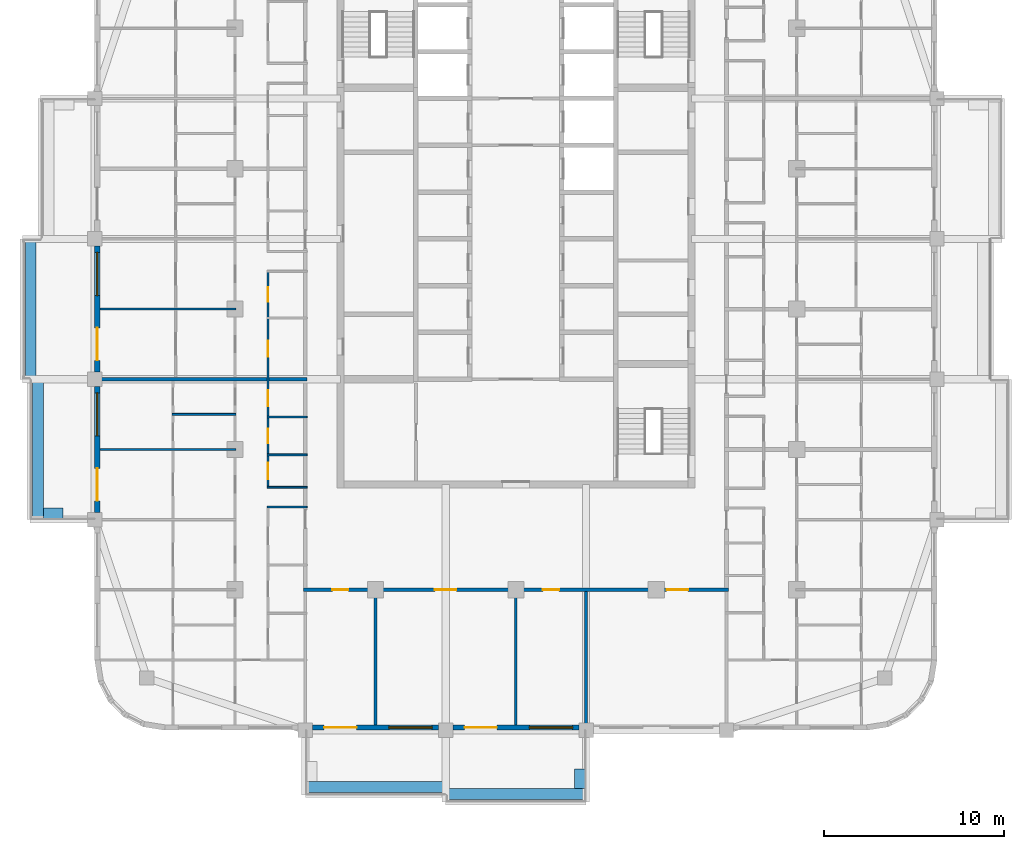
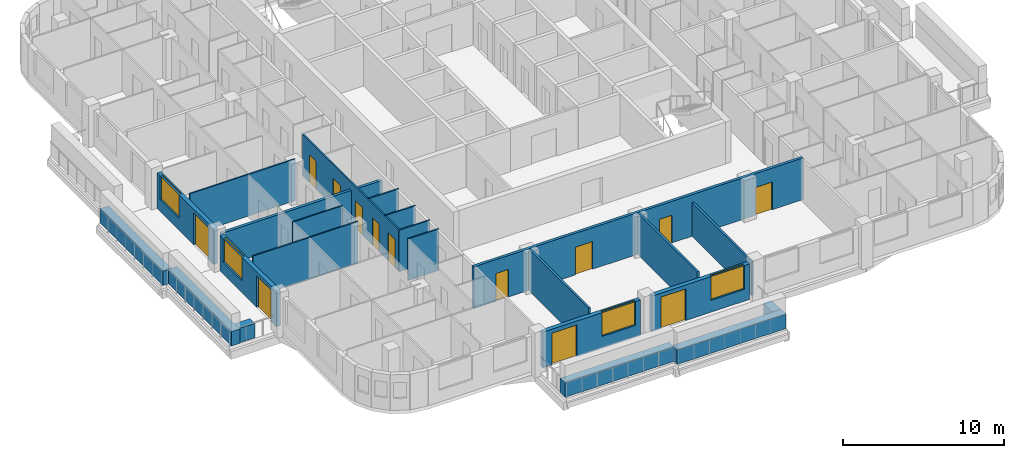
# One storey, part 3 of 16: 23 walls, 13 doors, 4 windows, 17 openings.
"""IFC4 building model written with IfcOpenShell, lengths in metres."""

from ifc_helpers import new_model, si_unit, direction, frame, frame_2d, origin, place, context, subcontext, project, spatial, rectangle, extrude, material, layer, layer_set, type_object, element, fill, save


model = new_model("IFC4")

# Units and contexts
model_context = context("Model", 3, precision=1e-05, world=origin(), true_north=direction((0.0, 1.0)))
body_context = subcontext(model_context, "Body", "Model", "MODEL_VIEW")
ifc_project = project(units=[si_unit("LENGTHUNIT", "METRE"), si_unit("AREAUNIT", "SQUARE_METRE"), si_unit("VOLUMEUNIT", "CUBIC_METRE"), si_unit("PLANEANGLEUNIT", "RADIAN"), si_unit("MASSUNIT", "GRAM", prefix="KILO")], contexts=[model_context])

# Site, building, storey
site_placement = place(None, origin())
site = spatial("IfcSite", under=ifc_project, at=site_placement, CompositionType="ELEMENT")
building_placement = place(site_placement, origin())
building = spatial("IfcBuilding", under=site, at=building_placement, Name="Ludao Terraces", CompositionType="ELEMENT")
storey_placement = place(building_placement, frame((0.0, 0.0, 217.699951171875)))
storey = spatial("IfcBuildingStorey", under=building, at=storey_placement, Name="L59", CompositionType="ELEMENT", Elevation=217.699951171875)

# Walls
ifc_material_1 = material(Name="Concrete C40", Category="concrete")
ifc_layer_1 = layer(ifc_material_1, 0.60009765625)
ifc_layer_set_1 = layer_set([ifc_layer_1], Name="ENV Planter trough 600")
wall_type_1 = type_object("IfcWallType", Name="ENV Planter trough 600", PredefinedType="USERDEFINED", material=ifc_layer_set_1)
wall_1_placement = place(storey_placement, frame((73.300048828125, 38.449951171875, 0.0), z_axis=(0.0, 0.0, 1.0), x_axis=(1.0, 0.0, 0.0)))
element("IfcWall", 1, at=wall_1_placement, inside=storey, type_object=wall_type_1, Name="PL-L59-S1", ObjectType="PLANTER", PredefinedType="USERDEFINED", context=body_context, shape_type="SweptSolid", body=[
    extrude(rectangle(XDim=7.800048828125, YDim=0.60009765625, at=frame_2d((3.89990234375, 0.0))), origin(), (0.0, 0.0, 1.0), 1.10009765625),
])
wall_2_placement = place(storey_placement, frame((81.10009765625, 38.050048828125, 0.0), z_axis=(0.0, 0.0, 1.0), x_axis=(1.0, 0.0, 0.0)))
element("IfcWall", 2, at=wall_2_placement, inside=storey, type_object=wall_type_1, Name="PL-L59-S2", ObjectType="PLANTER", PredefinedType="USERDEFINED", context=body_context, shape_type="SweptSolid", body=[
    extrude(rectangle(XDim=7.7998046875, YDim=0.60009765625, at=frame_2d((3.89990234375, 0.0))), origin(), (0.0, 0.0, 1.0), 1.10009765625),
])
wall_3_placement = place(storey_placement, frame((88.550048828125, 38.35009765625, 0.0), z_axis=(0.0, 0.0, 1.0), x_axis=(0.0, 1.0, 0.0)))
element("IfcWall", 3, at=wall_3_placement, inside=storey, type_object=wall_type_1, Name="PL-L59-S2-SB", ObjectType="PLANTER", PredefinedType="USERDEFINED", context=body_context, shape_type="SweptSolid", body=[
    extrude(rectangle(XDim=1.099853515625, YDim=0.60009765625, at=frame_2d((0.5498046875, 0.0))), origin(), (0.0, 0.0, 1.0), 1.10009765625),
])
wall_4_placement = place(storey_placement, frame((58.449951171875, 53.300048828125, 0.0), z_axis=(0.0, 0.0, 1.0), x_axis=(0.0, 1.0, 0.0)))
element("IfcWall", 4, at=wall_4_placement, inside=storey, type_object=wall_type_1, Name="PL-L59-W1", ObjectType="PLANTER", PredefinedType="USERDEFINED", context=body_context, shape_type="SweptSolid", body=[
    extrude(rectangle(XDim=7.800048828125, YDim=0.60009765625, at=frame_2d((3.89990234375, 0.0))), origin(), (0.0, 0.0, 1.0), 1.10009765625),
])
wall_5_placement = place(storey_placement, frame((58.75, 53.64990234375, 0.0), z_axis=(0.0, 0.0, 1.0), x_axis=(1.0, 0.0, 0.0)))
element("IfcWall", 5, at=wall_5_placement, inside=storey, type_object=wall_type_1, Name="PL-L59-W1-SA", ObjectType="PLANTER", PredefinedType="USERDEFINED", context=body_context, shape_type="SweptSolid", body=[
    extrude(rectangle(XDim=1.10009765625, YDim=0.60009765625, at=frame_2d((0.550048828125, 0.0))), origin(), (0.0, 0.0, 1.0), 1.10009765625),
])
wall_6_placement = place(storey_placement, frame((58.050048828125, 61.10009765625, 0.0), z_axis=(0.0, 0.0, 1.0), x_axis=(0.0, 1.0, 0.0)))
element("IfcWall", 6, at=wall_6_placement, inside=storey, type_object=wall_type_1, Name="PL-L59-W2", ObjectType="PLANTER", PredefinedType="USERDEFINED", context=body_context, shape_type="SweptSolid", body=[
    extrude(rectangle(XDim=7.7998046875, YDim=0.60009765625, at=frame_2d((3.89990234375, 0.0))), origin(), (0.0, 0.0, 1.0), 1.10009765625),
])

# Wall, openings, door, window
ifc_material_2 = material(Name="Granite cladding", Category="masonry")
ifc_layer_2 = layer(ifc_material_2, 0.0400390625, Category="stone")
ifc_material_3 = material(Name="Mineral wool")
ifc_layer_3 = layer(ifc_material_3, 0.06005859375)
ifc_layer_4 = layer(ifc_material_1, 0.199951171875, Category="concrete")
ifc_layer_set_2 = layer_set([ifc_layer_2, ifc_layer_3, ifc_layer_4], Name="ENV Stone-clad wall 300")
wall_type_2 = type_object("IfcWallType", Name="ENV Stone-clad wall 300", PredefinedType="SOLIDWALL", material=ifc_layer_set_2)
wall_7_placement = place(storey_placement, frame((73.699951171875, 41.75, 0.0), z_axis=(0.0, 0.0, 1.0), x_axis=(1.0, 0.0, 0.0)))
wall_7 = element("IfcWall", 7, at=wall_7_placement, inside=storey, type_object=wall_type_2, Name="EW-L59-S2", PredefinedType="SOLIDWALL", context=body_context, shape_type="SweptSolid", body=[
    extrude(rectangle(XDim=7.0, YDim=0.300048828125, at=frame_2d((3.5, 0.0))), origin(), (0.0, 0.0, 1.0), 2.699951171875),
])
opening_1_placement = place(wall_7_placement, frame((0.64990234375, 0.0, 0.0)))
opening_1 = element("IfcOpeningElement", 8, at=opening_1_placement, cuts=wall_7, Name="Opening BD", PredefinedType="OPENING", context=body_context, shape_type="SweptSolid", body=[
    extrude(rectangle(XDim=1.800048828125, YDim=2.39990234375, at=frame_2d((0.89990234375, 1.199951171875))), frame((0.0, 0.16015625, 0.0), z_axis=(0.0, -1.0, 0.0), x_axis=(1.0, 0.0, 0.0)), (0.0, 0.0, 1.0), 0.320068359375),
])
opening_2_placement = place(wall_7_placement, frame((4.25, 0.0, 0.89990234375)))
opening_2 = element("IfcOpeningElement", 9, at=opening_2_placement, cuts=wall_7, Name="Opening W1", PredefinedType="OPENING", context=body_context, shape_type="SweptSolid", body=[
    extrude(rectangle(XDim=2.39990234375, YDim=1.800048828125, at=frame_2d((1.199951171875, 0.89990234375))), frame((0.0, 0.16015625, 0.0), z_axis=(0.0, -1.0, 0.0), x_axis=(1.0, 0.0, 0.0)), (0.0, 0.0, 1.0), 0.320068359375),
])
ifc_material_4 = material(Name="Aluminium glazed door", Category="aluminium")
ifc_layer_5 = layer(ifc_material_4, 0.06005859375)
ifc_layer_set_3 = layer_set([ifc_layer_5], Name="ENV Balcony door BD 1800x2400")
door_type_1 = type_object("IfcDoorType", Name="ENV Balcony door BD 1800x2400", OperationType="DOUBLE_DOOR_SINGLE_SWING", PredefinedType="DOOR", material=ifc_layer_set_3)
door_1_placement = place(opening_1_placement, origin())
door_1 = element("IfcDoor", 10, at=door_1_placement, inside=storey, type_object=door_type_1, Name="BD-L59-S2-1", OperationType="DOUBLE_DOOR_SINGLE_SWING", OverallHeight=2.39990234375, OverallWidth=1.800048828125, PredefinedType="DOOR", context=body_context, shape_type="SweptSolid", body=[
    extrude(rectangle(XDim=1.800048828125, YDim=2.39990234375, at=frame_2d((0.89990234375, 1.199951171875))), frame((0.0, 0.02490234375, 0.0), z_axis=(0.0, -1.0, 0.0), x_axis=(1.0, 0.0, 0.0)), (0.0, 0.0, 1.0), 0.050048828125),
])
fill(opening_1, door_1)
ifc_material_5 = material(Name="Clear glass in aluminium frame", Category="aluminium")
ifc_layer_6 = layer(ifc_material_5, 0.06005859375)
ifc_layer_set_4 = layer_set([ifc_layer_6], Name="ENV Window W1 2400x1800")
window_type = type_object("IfcWindowType", Name="ENV Window W1 2400x1800", PartitioningType="DOUBLE_PANEL_VERTICAL", PredefinedType="WINDOW", material=ifc_layer_set_4)
window_1_placement = place(opening_2_placement, origin())
window_1 = element("IfcWindow", 11, at=window_1_placement, inside=storey, type_object=window_type, Name="W-L59-S2-2", OverallHeight=1.800048828125, OverallWidth=2.39990234375, PartitioningType="DOUBLE_PANEL_VERTICAL", PredefinedType="WINDOW", context=body_context, shape_type="SweptSolid", body=[
    extrude(rectangle(XDim=2.39990234375, YDim=1.800048828125, at=frame_2d((1.199951171875, 0.89990234375))), frame((0.0, 0.030029296875, 0.0), z_axis=(0.0, -1.0, 0.0), x_axis=(1.0, 0.0, 0.0)), (0.0, 0.0, 1.0), 0.06005859375),
])
fill(opening_2, window_1)

wall_8_placement = place(storey_placement, frame((81.5, 41.75, 0.0), z_axis=(0.0, 0.0, 1.0), x_axis=(1.0, 0.0, 0.0)))
wall_8 = element("IfcWall", 12, at=wall_8_placement, inside=storey, type_object=wall_type_2, Name="EW-L59-S3", PredefinedType="SOLIDWALL", context=body_context, shape_type="SweptSolid", body=[
    extrude(rectangle(XDim=7.0, YDim=0.300048828125, at=frame_2d((3.5, 0.0))), origin(), (0.0, 0.0, 1.0), 2.699951171875),
])
opening_3_placement = place(wall_8_placement, frame((0.64990234375, 0.0, 0.0)))
opening_3 = element("IfcOpeningElement", 13, at=opening_3_placement, cuts=wall_8, Name="Opening BD", PredefinedType="OPENING", context=body_context, shape_type="SweptSolid", body=[
    extrude(rectangle(XDim=1.800048828125, YDim=2.39990234375, at=frame_2d((0.89990234375, 1.199951171875))), frame((0.0, 0.16015625, 0.0), z_axis=(0.0, -1.0, 0.0), x_axis=(1.0, 0.0, 0.0)), (0.0, 0.0, 1.0), 0.320068359375),
])
opening_4_placement = place(wall_8_placement, frame((4.25, 0.0, 0.89990234375)))
opening_4 = element("IfcOpeningElement", 14, at=opening_4_placement, cuts=wall_8, Name="Opening W1", PredefinedType="OPENING", context=body_context, shape_type="SweptSolid", body=[
    extrude(rectangle(XDim=2.39990234375, YDim=1.800048828125, at=frame_2d((1.199951171875, 0.89990234375))), frame((0.0, 0.16015625, 0.0), z_axis=(0.0, -1.0, 0.0), x_axis=(1.0, 0.0, 0.0)), (0.0, 0.0, 1.0), 0.320068359375),
])
door_2_placement = place(opening_3_placement, origin())
door_2 = element("IfcDoor", 15, at=door_2_placement, inside=storey, type_object=door_type_1, Name="BD-L59-S3-1", OperationType="DOUBLE_DOOR_SINGLE_SWING", OverallHeight=2.39990234375, OverallWidth=1.800048828125, PredefinedType="DOOR", context=body_context, shape_type="SweptSolid", body=[
    extrude(rectangle(XDim=1.800048828125, YDim=2.39990234375, at=frame_2d((0.89990234375, 1.199951171875))), frame((0.0, 0.02490234375, 0.0), z_axis=(0.0, -1.0, 0.0), x_axis=(1.0, 0.0, 0.0)), (0.0, 0.0, 1.0), 0.050048828125),
])
fill(opening_3, door_2)
window_2_placement = place(opening_4_placement, origin())
window_2 = element("IfcWindow", 16, at=window_2_placement, inside=storey, type_object=window_type, Name="W-L59-S3-2", OverallHeight=1.800048828125, OverallWidth=2.39990234375, PartitioningType="DOUBLE_PANEL_VERTICAL", PredefinedType="WINDOW", context=body_context, shape_type="SweptSolid", body=[
    extrude(rectangle(XDim=2.39990234375, YDim=1.800048828125, at=frame_2d((1.199951171875, 0.89990234375))), frame((0.0, 0.030029296875, 0.0), z_axis=(0.0, -1.0, 0.0), x_axis=(1.0, 0.0, 0.0)), (0.0, 0.0, 1.0), 0.06005859375),
])
fill(opening_4, window_2)

wall_9_placement = place(storey_placement, frame((61.75, 53.699951171875, 0.0), z_axis=(0.0, 0.0, 1.0), x_axis=(0.0, 1.0, 0.0)))
wall_9 = element("IfcWall", 17, at=wall_9_placement, inside=storey, type_object=wall_type_2, Name="EW-L59-W2", PredefinedType="SOLIDWALL", context=body_context, shape_type="SweptSolid", body=[
    extrude(rectangle(XDim=7.0, YDim=0.300048828125, at=frame_2d((3.5, 0.0))), origin(), (0.0, 0.0, 1.0), 2.699951171875),
])
opening_5_placement = place(wall_9_placement, frame((0.64990234375, 0.0, 0.0)))
opening_5 = element("IfcOpeningElement", 18, at=opening_5_placement, cuts=wall_9, Name="Opening BD", PredefinedType="OPENING", context=body_context, shape_type="SweptSolid", body=[
    extrude(rectangle(XDim=1.800048828125, YDim=2.39990234375, at=frame_2d((0.89990234375, 1.199951171875))), frame((0.0, 0.16015625, 0.0), z_axis=(0.0, -1.0, 0.0), x_axis=(1.0, 0.0, 0.0)), (0.0, 0.0, 1.0), 0.320068359375),
])
opening_6_placement = place(wall_9_placement, frame((4.25, 0.0, 0.89990234375)))
opening_6 = element("IfcOpeningElement", 19, at=opening_6_placement, cuts=wall_9, Name="Opening W1", PredefinedType="OPENING", context=body_context, shape_type="SweptSolid", body=[
    extrude(rectangle(XDim=2.39990234375, YDim=1.800048828125, at=frame_2d((1.199951171875, 0.89990234375))), frame((0.0, 0.16015625, 0.0), z_axis=(0.0, -1.0, 0.0), x_axis=(1.0, 0.0, 0.0)), (0.0, 0.0, 1.0), 0.320068359375),
])
door_3_placement = place(opening_5_placement, origin())
door_3 = element("IfcDoor", 20, at=door_3_placement, inside=storey, type_object=door_type_1, Name="BD-L59-W2-1", OperationType="DOUBLE_DOOR_SINGLE_SWING", OverallHeight=2.39990234375, OverallWidth=1.800048828125, PredefinedType="DOOR", context=body_context, shape_type="SweptSolid", body=[
    extrude(rectangle(XDim=1.800048828125, YDim=2.39990234375, at=frame_2d((0.89990234375, 1.199951171875))), frame((0.0, 0.02490234375, 0.0), z_axis=(0.0, -1.0, 0.0), x_axis=(1.0, 0.0, 0.0)), (0.0, 0.0, 1.0), 0.050048828125),
])
fill(opening_5, door_3)
window_3_placement = place(opening_6_placement, origin())
window_3 = element("IfcWindow", 21, at=window_3_placement, inside=storey, type_object=window_type, Name="W-L59-W2-2", OverallHeight=1.800048828125, OverallWidth=2.39990234375, PartitioningType="DOUBLE_PANEL_VERTICAL", PredefinedType="WINDOW", context=body_context, shape_type="SweptSolid", body=[
    extrude(rectangle(XDim=2.39990234375, YDim=1.800048828125, at=frame_2d((1.199951171875, 0.89990234375))), frame((0.0, 0.030029296875, 0.0), z_axis=(0.0, -1.0, 0.0), x_axis=(1.0, 0.0, 0.0)), (0.0, 0.0, 1.0), 0.06005859375),
])
fill(opening_6, window_3)

wall_10_placement = place(storey_placement, frame((61.75, 61.5, 0.0), z_axis=(0.0, 0.0, 1.0), x_axis=(0.0, 1.0, 0.0)))
wall_10 = element("IfcWall", 22, at=wall_10_placement, inside=storey, type_object=wall_type_2, Name="EW-L59-W3", PredefinedType="SOLIDWALL", context=body_context, shape_type="SweptSolid", body=[
    extrude(rectangle(XDim=7.0, YDim=0.300048828125, at=frame_2d((3.5, 0.0))), origin(), (0.0, 0.0, 1.0), 2.699951171875),
])
opening_7_placement = place(wall_10_placement, frame((0.64990234375, 0.0, 0.0)))
opening_7 = element("IfcOpeningElement", 23, at=opening_7_placement, cuts=wall_10, Name="Opening BD", PredefinedType="OPENING", context=body_context, shape_type="SweptSolid", body=[
    extrude(rectangle(XDim=1.800048828125, YDim=2.39990234375, at=frame_2d((0.89990234375, 1.199951171875))), frame((0.0, 0.16015625, 0.0), z_axis=(0.0, -1.0, 0.0), x_axis=(1.0, 0.0, 0.0)), (0.0, 0.0, 1.0), 0.320068359375),
])
opening_8_placement = place(wall_10_placement, frame((4.25, 0.0, 0.89990234375)))
opening_8 = element("IfcOpeningElement", 24, at=opening_8_placement, cuts=wall_10, Name="Opening W1", PredefinedType="OPENING", context=body_context, shape_type="SweptSolid", body=[
    extrude(rectangle(XDim=2.39990234375, YDim=1.800048828125, at=frame_2d((1.199951171875, 0.89990234375))), frame((0.0, 0.16015625, 0.0), z_axis=(0.0, -1.0, 0.0), x_axis=(1.0, 0.0, 0.0)), (0.0, 0.0, 1.0), 0.320068359375),
])
door_4_placement = place(opening_7_placement, origin())
door_4 = element("IfcDoor", 25, at=door_4_placement, inside=storey, type_object=door_type_1, Name="BD-L59-W3-1", OperationType="DOUBLE_DOOR_SINGLE_SWING", OverallHeight=2.39990234375, OverallWidth=1.800048828125, PredefinedType="DOOR", context=body_context, shape_type="SweptSolid", body=[
    extrude(rectangle(XDim=1.800048828125, YDim=2.39990234375, at=frame_2d((0.89990234375, 1.199951171875))), frame((0.0, 0.02490234375, 0.0), z_axis=(0.0, -1.0, 0.0), x_axis=(1.0, 0.0, 0.0)), (0.0, 0.0, 1.0), 0.050048828125),
])
fill(opening_7, door_4)
window_4_placement = place(opening_8_placement, origin())
window_4 = element("IfcWindow", 26, at=window_4_placement, inside=storey, type_object=window_type, Name="W-L59-W3-2", OverallHeight=1.800048828125, OverallWidth=2.39990234375, PartitioningType="DOUBLE_PANEL_VERTICAL", PredefinedType="WINDOW", context=body_context, shape_type="SweptSolid", body=[
    extrude(rectangle(XDim=2.39990234375, YDim=1.800048828125, at=frame_2d((1.199951171875, 0.89990234375))), frame((0.0, 0.030029296875, 0.0), z_axis=(0.0, -1.0, 0.0), x_axis=(1.0, 0.0, 0.0)), (0.0, 0.0, 1.0), 0.06005859375),
])
fill(opening_8, window_4)

# Wall, openings, doors
ifc_material_6 = material(Name="Autoclaved aerated concrete block B06 A3.5", Category="concrete")
ifc_layer_7 = layer(ifc_material_6, 0.199951171875)
ifc_layer_set_5 = layer_set([ifc_layer_7], Name="INT Entrance wall 200")
wall_type_3 = type_object("IfcWallType", Name="INT Entrance wall 200", PredefinedType="PARTITIONING", material=ifc_layer_set_5)
wall_11_placement = place(storey_placement, frame((73.2001953125, 49.39990234375, 0.0), z_axis=(0.0, 0.0, 1.0), x_axis=(1.0, 0.0, 0.0)))
wall_11 = element("IfcWall", 27, at=wall_11_placement, inside=storey, type_object=wall_type_3, Name="PW-L59-PW007", PredefinedType="PARTITIONING", context=body_context, shape_type="SweptSolid", body=[
    extrude(rectangle(XDim=23.599853515625, YDim=0.199951171875, at=frame_2d((11.7998046875, 0.0))), origin(), (0.0, 0.0, 1.0), 3.150146484375),
])
opening_9_placement = place(wall_11_placement, frame((1.599853515625, 0.0, 0.0)))
opening_9 = element("IfcOpeningElement", 28, at=opening_9_placement, cuts=wall_11, Name="Opening R21-016", PredefinedType="OPENING", context=body_context, shape_type="SweptSolid", body=[
    extrude(rectangle(XDim=0.89990234375, YDim=2.10009765625, at=frame_2d((0.449951171875, 1.050048828125))), frame((0.0, 0.10986328125, 0.0), z_axis=(0.0, -1.0, 0.0), x_axis=(1.0, 0.0, 0.0)), (0.0, 0.0, 1.0), 0.219970703125),
])
opening_10_placement = place(wall_11_placement, frame((7.2998046875, 0.0, 0.0)))
opening_10 = element("IfcOpeningElement", 29, at=opening_10_placement, cuts=wall_11, Name="Opening R21-017", PredefinedType="OPENING", context=body_context, shape_type="SweptSolid", body=[
    extrude(rectangle(XDim=1.199951171875, YDim=2.10009765625, at=frame_2d((0.60009765625, 1.050048828125))), frame((0.0, 0.10986328125, 0.0), z_axis=(0.0, -1.0, 0.0), x_axis=(1.0, 0.0, 0.0)), (0.0, 0.0, 1.0), 0.219970703125),
])
opening_11_placement = place(wall_11_placement, frame((13.2998046875, 0.0, 0.0)))
opening_11 = element("IfcOpeningElement", 30, at=opening_11_placement, cuts=wall_11, Name="Opening R21-018", PredefinedType="OPENING", context=body_context, shape_type="SweptSolid", body=[
    extrude(rectangle(XDim=0.89990234375, YDim=2.10009765625, at=frame_2d((0.449951171875, 1.050048828125))), frame((0.0, 0.10986328125, 0.0), z_axis=(0.0, -1.0, 0.0), x_axis=(1.0, 0.0, 0.0)), (0.0, 0.0, 1.0), 0.219970703125),
])
opening_12_placement = place(wall_11_placement, frame((20.1748046875, 0.0, 0.0)))
opening_12 = element("IfcOpeningElement", 31, at=opening_12_placement, cuts=wall_11, Name="Opening R21-019", PredefinedType="OPENING", context=body_context, shape_type="SweptSolid", body=[
    extrude(rectangle(XDim=1.199951171875, YDim=2.10009765625, at=frame_2d((0.60009765625, 1.050048828125))), frame((0.0, 0.10986328125, 0.0), z_axis=(0.0, -1.0, 0.0), x_axis=(1.0, 0.0, 0.0)), (0.0, 0.0, 1.0), 0.219970703125),
])
ifc_material_7 = material(Name="Timber door leaf", Category="wood")
door_type_2 = type_object("IfcDoorType", Name="INT Double door 1200", OperationType="DOUBLE_DOOR_SINGLE_SWING", PredefinedType="DOOR", material=ifc_material_7)
door_5_placement = place(opening_10_placement, origin())
door_5 = element("IfcDoor", 32, at=door_5_placement, inside=storey, type_object=door_type_2, Name="DOOR 017", OperationType="DOUBLE_DOOR_SINGLE_SWING", OverallHeight=2.10009765625, OverallWidth=1.199951171875, PredefinedType="DOOR", context=body_context, shape_type="SweptSolid", body=[
    extrude(rectangle(XDim=1.199951171875, YDim=2.10009765625, at=frame_2d((0.60009765625, 1.050048828125))), frame((0.0, 0.02490234375, 0.0), z_axis=(0.0, -1.0, 0.0), x_axis=(1.0, 0.0, 0.0)), (0.0, 0.0, 1.0), 0.050048828125),
])
fill(opening_10, door_5)
door_6_placement = place(opening_12_placement, origin())
door_6 = element("IfcDoor", 33, at=door_6_placement, inside=storey, type_object=door_type_2, Name="DOOR 019", OperationType="DOUBLE_DOOR_SINGLE_SWING", OverallHeight=2.10009765625, OverallWidth=1.199951171875, PredefinedType="DOOR", context=body_context, shape_type="SweptSolid", body=[
    extrude(rectangle(XDim=1.199951171875, YDim=2.10009765625, at=frame_2d((0.60009765625, 1.050048828125))), frame((0.0, 0.02490234375, 0.0), z_axis=(0.0, -1.0, 0.0), x_axis=(1.0, 0.0, 0.0)), (0.0, 0.0, 1.0), 0.050048828125),
])
fill(opening_12, door_6)
door_type_3 = type_object("IfcDoorType", Name="INT Room door 900", OperationType="SINGLE_SWING_LEFT", PredefinedType="DOOR", material=ifc_material_7)
door_7_placement = place(opening_9_placement, origin())
door_7 = element("IfcDoor", 34, at=door_7_placement, inside=storey, type_object=door_type_3, Name="DOOR 016", OperationType="SINGLE_SWING_RIGHT", OverallHeight=2.10009765625, OverallWidth=0.89990234375, PredefinedType="DOOR", context=body_context, shape_type="SweptSolid", body=[
    extrude(rectangle(XDim=0.89990234375, YDim=2.10009765625, at=frame_2d((0.449951171875, 1.050048828125))), frame((0.0, 0.02490234375, 0.0), z_axis=(0.0, -1.0, 0.0), x_axis=(1.0, 0.0, 0.0)), (0.0, 0.0, 1.0), 0.050048828125),
])
fill(opening_9, door_7)
door_8_placement = place(opening_11_placement, origin())
door_8 = element("IfcDoor", 35, at=door_8_placement, inside=storey, type_object=door_type_3, Name="DOOR 018", OperationType="SINGLE_SWING_RIGHT", OverallHeight=2.10009765625, OverallWidth=0.89990234375, PredefinedType="DOOR", context=body_context, shape_type="SweptSolid", body=[
    extrude(rectangle(XDim=0.89990234375, YDim=2.10009765625, at=frame_2d((0.449951171875, 1.050048828125))), frame((0.0, 0.02490234375, 0.0), z_axis=(0.0, -1.0, 0.0), x_axis=(1.0, 0.0, 0.0)), (0.0, 0.0, 1.0), 0.050048828125),
])
fill(opening_11, door_8)

# Walls
ifc_material_8 = material(Name="Gypsum plasterboard", Category="gypsum")
ifc_layer_8 = layer(ifc_material_8, 0.012451171875, Category="gypsum")
ifc_layer_9 = layer(ifc_material_3, 0.06005859375, Name="insulation")
ifc_material_9 = material(Name="Steel Q235", Category="steel")
ifc_layer_10 = layer(ifc_material_9, 0.014892578125, Name="stud")
ifc_layer_11 = layer(ifc_material_8, 0.012451171875, Category="gypsum")
ifc_layer_set_6 = layer_set([ifc_layer_8, ifc_layer_9, ifc_layer_10, ifc_layer_11], Name="INT Partition 100")
wall_type_4 = type_object("IfcWallType", Name="INT Partition 100", PredefinedType="PARTITIONING", material=ifc_layer_set_6)
for number, where, z_axis, x_axis, name in (
    (36, (71.18017578125, 54.0, 0.0), (0.0, 0.0, 1.0), (1.0, 0.0, 0.0), "PW-L59-PW015"),
    (37, (71.18017578125, 55.10009765625, 0.0), (0.0, 0.0, 1.0), (1.0, 0.0, 0.0), "PW-L59-PW017"),
    (38, (71.18017578125, 56.89990234375, 0.0), (0.0, 0.0, 1.0), (1.0, 0.0, 0.0), "PW-L59-PW019"),
):
    element("IfcWall", number, at=place(storey_placement, frame(where, z_axis=z_axis, x_axis=x_axis)), inside=storey, type_object=wall_type_4, Name=name, PredefinedType="PARTITIONING", context=body_context, shape_type="SweptSolid", body=[
        extrude(rectangle(XDim=2.219970703125, YDim=0.10009765625, at=frame_2d((1.10986328125, 0.0))), origin(), (0.0, 0.0, 1.0), 3.150146484375),
    ])
wall_12_placement = place(storey_placement, frame((61.900146484375, 57.199951171875, 0.0), z_axis=(0.0, 0.0, 1.0), x_axis=(1.0, 0.0, 0.0)))
element("IfcWall", 39, at=wall_12_placement, inside=storey, type_object=wall_type_4, Name="PW-L59-PW020", PredefinedType="PARTITIONING", context=body_context, shape_type="SweptSolid", body=[
    extrude(rectangle(XDim=7.550048828125, YDim=0.10009765625, at=frame_2d((3.77490234375, 0.0))), origin(), (0.0, 0.0, 1.0), 3.150146484375),
])
wall_13_placement = place(storey_placement, frame((71.18017578125, 59.0, 0.0), z_axis=(0.0, 0.0, 1.0), x_axis=(1.0, 0.0, 0.0)))
element("IfcWall", 40, at=wall_13_placement, inside=storey, type_object=wall_type_4, Name="PW-L59-PW022", PredefinedType="PARTITIONING", context=body_context, shape_type="SweptSolid", body=[
    extrude(rectangle(XDim=2.219970703125, YDim=0.10009765625, at=frame_2d((1.10986328125, 0.0))), origin(), (0.0, 0.0, 1.0), 3.150146484375),
])
wall_14_placement = place(storey_placement, frame((65.900146484375, 59.14990234375, 0.0), z_axis=(0.0, 0.0, 1.0), x_axis=(1.0, 0.0, 0.0)))
element("IfcWall", 41, at=wall_14_placement, inside=storey, type_object=wall_type_4, Name="PW-L59-PW024", PredefinedType="PARTITIONING", context=body_context, shape_type="SweptSolid", body=[
    extrude(rectangle(XDim=3.550048828125, YDim=0.10009765625, at=frame_2d((1.77490234375, 0.0))), origin(), (0.0, 0.0, 1.0), 3.150146484375),
])
wall_15_placement = place(storey_placement, frame((61.900146484375, 65.0, 0.0), z_axis=(0.0, 0.0, 1.0), x_axis=(1.0, 0.0, 0.0)))
element("IfcWall", 42, at=wall_15_placement, inside=storey, type_object=wall_type_4, Name="PW-L59-PW032", PredefinedType="PARTITIONING", context=body_context, shape_type="SweptSolid", body=[
    extrude(rectangle(XDim=7.550048828125, YDim=0.10009765625, at=frame_2d((3.77490234375, 0.0))), origin(), (0.0, 0.0, 1.0), 3.150146484375),
])

# Wall, openings, doors
wall_16_placement = place(storey_placement, frame((71.22998046875, 55.150146484375, 0.0), z_axis=(0.0, 0.0, 1.0), x_axis=(0.0, 1.0, 0.0)))
wall_16 = element("IfcWall", 43, at=wall_16_placement, inside=storey, type_object=wall_type_4, Name="PW-L59-PW074", PredefinedType="PARTITIONING", context=body_context, shape_type="SweptSolid", body=[
    extrude(rectangle(XDim=11.89990234375, YDim=0.10009765625, at=frame_2d((5.949951171875, 0.0))), origin(), (0.0, 0.0, 1.0), 3.150146484375),
])
opening_13_placement = place(wall_16_placement, frame((0.39990234375, 0.0, 0.0)))
opening_13 = element("IfcOpeningElement", 44, at=opening_13_placement, cuts=wall_16, Name="Opening R21-034", PredefinedType="OPENING", context=body_context, shape_type="SweptSolid", body=[
    extrude(rectangle(XDim=0.89990234375, YDim=2.10009765625, at=frame_2d((0.449951171875, 1.050048828125))), frame((0.0, 0.06005859375, 0.0), z_axis=(0.0, -1.0, 0.0), x_axis=(1.0, 0.0, 0.0)), (0.0, 0.0, 1.0), 0.1201171875),
])
opening_14_placement = place(wall_16_placement, frame((2.39990234375, 0.0, 0.0)))
opening_14 = element("IfcOpeningElement", 45, at=opening_14_placement, cuts=wall_16, Name="Opening R21-040", PredefinedType="OPENING", context=body_context, shape_type="SweptSolid", body=[
    extrude(rectangle(XDim=0.800048828125, YDim=2.10009765625, at=frame_2d((0.39990234375, 1.050048828125))), frame((0.0, 0.06005859375, 0.0), z_axis=(0.0, -1.0, 0.0), x_axis=(1.0, 0.0, 0.0)), (0.0, 0.0, 1.0), 0.1201171875),
])
opening_15_placement = place(wall_16_placement, frame((4.449951171875, 0.0, 0.0)))
opening_15 = element("IfcOpeningElement", 46, at=opening_15_placement, cuts=wall_16, Name="Opening R21-046", PredefinedType="OPENING", context=body_context, shape_type="SweptSolid", body=[
    extrude(rectangle(XDim=0.89990234375, YDim=2.10009765625, at=frame_2d((0.449951171875, 1.050048828125))), frame((0.0, 0.06005859375, 0.0), z_axis=(0.0, -1.0, 0.0), x_axis=(1.0, 0.0, 0.0)), (0.0, 0.0, 1.0), 0.1201171875),
])
opening_16_placement = place(wall_16_placement, frame((7.199951171875, 0.0, 0.0)))
opening_16 = element("IfcOpeningElement", 47, at=opening_16_placement, cuts=wall_16, Name="Opening R21-055", PredefinedType="OPENING", context=body_context, shape_type="SweptSolid", body=[
    extrude(rectangle(XDim=0.89990234375, YDim=2.10009765625, at=frame_2d((0.449951171875, 1.050048828125))), frame((0.0, 0.06005859375, 0.0), z_axis=(0.0, -1.0, 0.0), x_axis=(1.0, 0.0, 0.0)), (0.0, 0.0, 1.0), 0.1201171875),
])
opening_17_placement = place(wall_16_placement, frame((10.25, 0.0, 0.0)))
opening_17 = element("IfcOpeningElement", 48, at=opening_17_placement, cuts=wall_16, Name="Opening R21-065", PredefinedType="OPENING", context=body_context, shape_type="SweptSolid", body=[
    extrude(rectangle(XDim=0.800048828125, YDim=2.10009765625, at=frame_2d((0.39990234375, 1.050048828125))), frame((0.0, 0.06005859375, 0.0), z_axis=(0.0, -1.0, 0.0), x_axis=(1.0, 0.0, 0.0)), (0.0, 0.0, 1.0), 0.1201171875),
])
door_type_4 = type_object("IfcDoorType", Name="INT Bathroom door 900", OperationType="SINGLE_SWING_LEFT", PredefinedType="DOOR", material=ifc_material_7)
door_9_placement = place(opening_13_placement, origin())
door_9 = element("IfcDoor", 49, at=door_9_placement, inside=storey, type_object=door_type_4, Name="DOOR 034", OperationType="SINGLE_SWING_RIGHT", OverallHeight=2.10009765625, OverallWidth=0.89990234375, PredefinedType="DOOR", context=body_context, shape_type="SweptSolid", body=[
    extrude(rectangle(XDim=0.89990234375, YDim=2.10009765625, at=frame_2d((0.449951171875, 1.050048828125))), frame((0.0, 0.02490234375, 0.0), z_axis=(0.0, -1.0, 0.0), x_axis=(1.0, 0.0, 0.0)), (0.0, 0.0, 1.0), 0.050048828125),
])
fill(opening_13, door_9)
door_10_placement = place(opening_15_placement, origin())
door_10 = element("IfcDoor", 50, at=door_10_placement, inside=storey, type_object=door_type_4, Name="DOOR 046", OperationType="SINGLE_SWING_LEFT", OverallHeight=2.10009765625, OverallWidth=0.89990234375, PredefinedType="DOOR", context=body_context, shape_type="SweptSolid", body=[
    extrude(rectangle(XDim=0.89990234375, YDim=2.10009765625, at=frame_2d((0.449951171875, 1.050048828125))), frame((0.0, 0.02490234375, 0.0), z_axis=(0.0, -1.0, 0.0), x_axis=(1.0, 0.0, 0.0)), (0.0, 0.0, 1.0), 0.050048828125),
])
fill(opening_15, door_10)
door_11_placement = place(opening_16_placement, origin())
door_11 = element("IfcDoor", 51, at=door_11_placement, inside=storey, type_object=door_type_3, Name="DOOR 055", OperationType="SINGLE_SWING_RIGHT", OverallHeight=2.10009765625, OverallWidth=0.89990234375, PredefinedType="DOOR", context=body_context, shape_type="SweptSolid", body=[
    extrude(rectangle(XDim=0.89990234375, YDim=2.10009765625, at=frame_2d((0.449951171875, 1.050048828125))), frame((0.0, 0.02490234375, 0.0), z_axis=(0.0, -1.0, 0.0), x_axis=(1.0, 0.0, 0.0)), (0.0, 0.0, 1.0), 0.050048828125),
])
fill(opening_16, door_11)
door_type_5 = type_object("IfcDoorType", Name="INT Store door 800", OperationType="SINGLE_SWING_LEFT", PredefinedType="DOOR", material=ifc_material_7)
door_12_placement = place(opening_14_placement, origin())
door_12 = element("IfcDoor", 52, at=door_12_placement, inside=storey, type_object=door_type_5, Name="DOOR 040", OperationType="SINGLE_SWING_RIGHT", OverallHeight=2.10009765625, OverallWidth=0.800048828125, PredefinedType="DOOR", context=body_context, shape_type="SweptSolid", body=[
    extrude(rectangle(XDim=0.800048828125, YDim=2.10009765625, at=frame_2d((0.39990234375, 1.050048828125))), frame((0.0, 0.02490234375, 0.0), z_axis=(0.0, -1.0, 0.0), x_axis=(1.0, 0.0, 0.0)), (0.0, 0.0, 1.0), 0.050048828125),
])
fill(opening_14, door_12)
door_13_placement = place(opening_17_placement, origin())
door_13 = element("IfcDoor", 53, at=door_13_placement, inside=storey, type_object=door_type_5, Name="DOOR 065", OperationType="SINGLE_SWING_RIGHT", OverallHeight=2.10009765625, OverallWidth=0.800048828125, PredefinedType="DOOR", context=body_context, shape_type="SweptSolid", body=[
    extrude(rectangle(XDim=0.800048828125, YDim=2.10009765625, at=frame_2d((0.39990234375, 1.050048828125))), frame((0.0, 0.02490234375, 0.0), z_axis=(0.0, -1.0, 0.0), x_axis=(1.0, 0.0, 0.0)), (0.0, 0.0, 1.0), 0.050048828125),
])
fill(opening_17, door_13)

# Walls
ifc_layer_12 = layer(ifc_material_6, 0.14990234375)
ifc_layer_set_7 = layer_set([ifc_layer_12], Name="INT Party wall 150")
wall_type_5 = type_object("IfcWallType", Name="INT Party wall 150", PredefinedType="PARTITIONING", material=ifc_layer_set_7)
for number, where, z_axis, x_axis, name in (
    (54, (77.199951171875, 41.900146484375, 0.0), (0.0, 0.0, 1.0), (0.0, 1.0, 0.0), "PW-L59-PW080"),
    (55, (85.0, 41.900146484375, 0.0), (0.0, 0.0, 1.0), (0.0, 1.0, 0.0), "PW-L59-PW084"),
):
    element("IfcWall", number, at=place(storey_placement, frame(where, z_axis=z_axis, x_axis=x_axis)), inside=storey, type_object=wall_type_5, Name=name, PredefinedType="PARTITIONING", context=body_context, shape_type="SweptSolid", body=[
        extrude(rectangle(XDim=7.39990234375, YDim=0.14990234375, at=frame_2d((3.699951171875, 0.0))), origin(), (0.0, 0.0, 1.0), 3.150146484375),
    ])
wall_17_placement = place(storey_placement, frame((88.89990234375, 41.900146484375, 0.0), z_axis=(0.0, 0.0, 1.0), x_axis=(0.0, 1.0, 0.0)))
element("IfcWall", 56, at=wall_17_placement, inside=storey, type_object=wall_type_5, Name="PW-L59-PW086", PredefinedType="PARTITIONING", context=body_context, shape_type="SweptSolid", body=[
    extrude(rectangle(XDim=7.39990234375, YDim=0.14990234375, at=frame_2d((3.699951171875, 0.0))), origin(), (0.0, 0.0, 1.0), 2.550048828125),
])
ifc_layer_13 = layer(ifc_material_6, 0.199951171875)
ifc_layer_set_8 = layer_set([ifc_layer_13], Name="INT Party wall 200")
wall_type_6 = type_object("IfcWallType", Name="INT Party wall 200", PredefinedType="PARTITIONING", material=ifc_layer_set_8)
wall_18_placement = place(storey_placement, frame((61.900146484375, 61.10009765625, 0.0), z_axis=(0.0, 0.0, 1.0), x_axis=(1.0, 0.0, 0.0)))
element("IfcWall", 57, at=wall_18_placement, inside=storey, type_object=wall_type_6, Name="PW-L59-PW026", PredefinedType="PARTITIONING", context=body_context, shape_type="SweptSolid", body=[
    extrude(rectangle(XDim=11.5, YDim=0.199951171875, at=frame_2d((5.75, 0.0))), origin(), (0.0, 0.0, 1.0), 2.550048828125),
])

save(model, "model.ifc")
